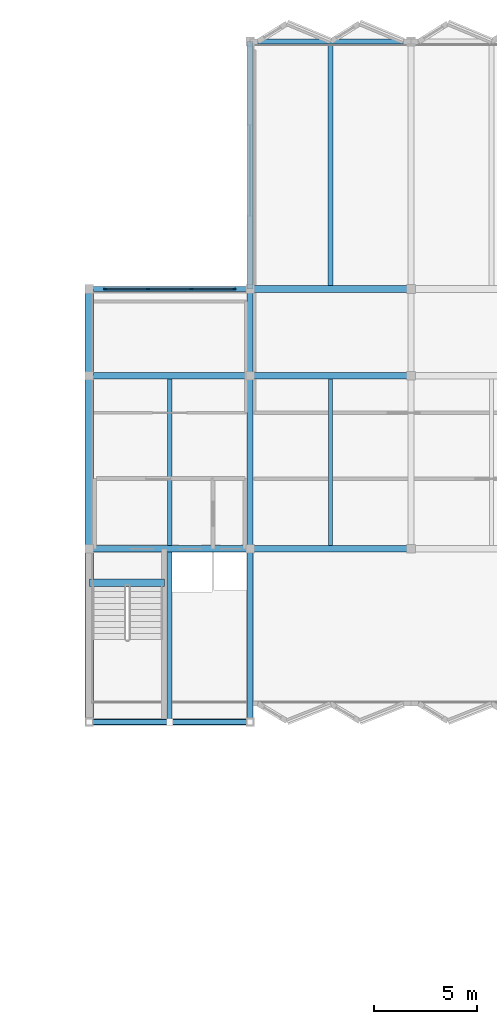
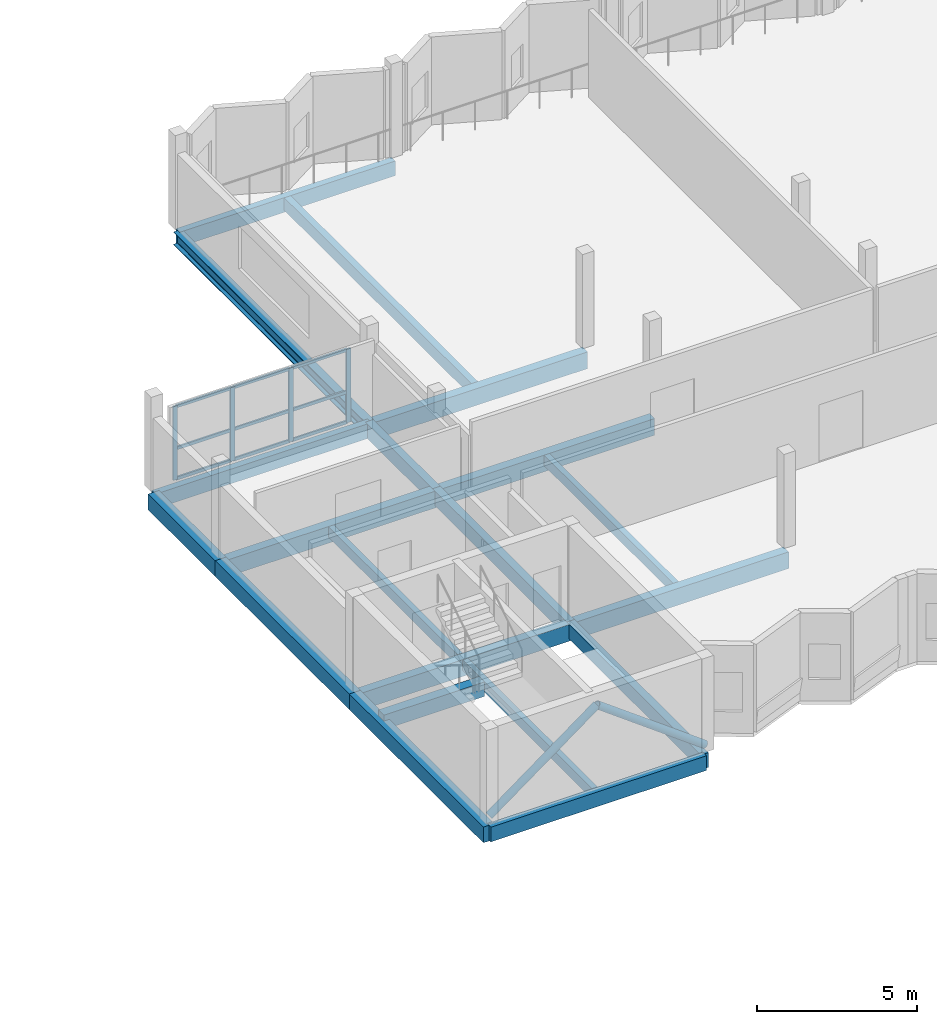
# One storey, part 8 of 22: 20 beams, 15 members, 1 element without a shape of its own.
"""IFC4 building model written with IfcOpenShell, lengths in metres."""

from ifc_helpers import new_model, si_unit, direction, frame, origin, origin_2d, place, context, subcontext, project, spatial, rectangle, hollow_circle, i_section, extrude, material, material_profile, profile_set, type_object, element, aggregate, save


model = new_model("IFC4")

# Units and contexts
model_context = context("Model", 3, precision=1e-05, world=origin(), true_north=direction((0.0, 1.0)))
body_context = subcontext(model_context, "Body", "Model", "MODEL_VIEW")
ifc_project = project(units=[si_unit("LENGTHUNIT", "METRE"), si_unit("AREAUNIT", "SQUARE_METRE"), si_unit("VOLUMEUNIT", "CUBIC_METRE"), si_unit("PLANEANGLEUNIT", "RADIAN"), si_unit("MASSUNIT", "GRAM", prefix="KILO")], contexts=[model_context])

# Site, building, storey
site_placement = place(None, origin())
site = spatial("IfcSite", under=ifc_project, at=site_placement, CompositionType="ELEMENT")
building_placement = place(site_placement, origin())
building = spatial("IfcBuilding", under=site, at=building_placement, Name="Vharandega Faculty of Natural Sciences", CompositionType="ELEMENT")
storey_placement = place(building_placement, frame((0.0, 0.0, 28.800048828125)))
storey = spatial("IfcBuildingStorey", under=building, at=storey_placement, Name="L07", CompositionType="ELEMENT", Elevation=28.800048828125)

# Curtain wall, members
ifc_material_1 = material(Name="Aluminium and solar-control glass curtain wall", Category="aluminium")
curtain_wall_type = type_object("IfcCurtainWallType", Name="Unitised Curtain Wall System CW-01", PredefinedType="NOTDEFINED", material=ifc_material_1)
curtain_wall_placement = place(storey_placement, origin())
curtain_wall = element("IfcCurtainWall", 1, at=curtain_wall_placement, inside=storey, type_object=curtain_wall_type, Name="Curtain Wall CW-L07-028", PredefinedType="NOTDEFINED")
ifc_material_2 = material(Name="Thermally broken aluminium 6063-T6", Category="aluminium")
ifc_material_profile_1 = material_profile(ifc_material_2, rectangle(XDim=0.06005859375, YDim=0.159912109375, at=origin_2d()), Name="ALU 60x160")
ifc_profile_set_1 = profile_set([ifc_material_profile_1], Name="Thermally broken aluminium 6063-T6")
member_type_1 = type_object("IfcMemberType", Name="CW Mullion 60x160", PredefinedType="MULLION", material=ifc_profile_set_1)
member_1_placement = place(storey_placement, frame((115.570068359375, 85.0, 0.0), z_axis=(0.0, 0.0, 1.0), x_axis=(0.0, 1.0, 0.0)))
member_1 = element("IfcMember", 2, at=member_1_placement, type_object=member_type_1, Name="CW-01 mullion 1", PredefinedType="MULLION", context=body_context, shape_type="SweptSolid", body=[
    extrude(rectangle(XDim=0.06005859375, YDim=0.159912109375, at=origin_2d()), origin(), (0.0, 0.0, 1.0), 2.820068359375),
])
member_2_placement = place(storey_placement, frame((117.646728515625, 85.0, 0.0), z_axis=(0.0, 0.0, 1.0), x_axis=(0.0, 1.0, 0.0)))
member_2 = element("IfcMember", 3, at=member_2_placement, type_object=member_type_1, Name="CW-01 mullion 2", PredefinedType="MULLION", context=body_context, shape_type="SweptSolid", body=[
    extrude(rectangle(XDim=0.06005859375, YDim=0.159912109375, at=origin_2d()), origin(), (0.0, 0.0, 1.0), 2.820068359375),
])
member_3_placement = place(storey_placement, frame((119.75341796875, 85.0, 0.0), z_axis=(0.0, 0.0, 1.0), x_axis=(0.0, 1.0, 0.0)))
member_3 = element("IfcMember", 4, at=member_3_placement, type_object=member_type_1, Name="CW-01 mullion 3", PredefinedType="MULLION", context=body_context, shape_type="SweptSolid", body=[
    extrude(rectangle(XDim=0.06005859375, YDim=0.159912109375, at=origin_2d()), origin(), (0.0, 0.0, 1.0), 2.820068359375),
])
member_4_placement = place(storey_placement, frame((121.830078125, 85.0, 0.0), z_axis=(0.0, 0.0, 1.0), x_axis=(0.0, 1.0, 0.0)))
member_4 = element("IfcMember", 5, at=member_4_placement, type_object=member_type_1, Name="CW-01 mullion 4", PredefinedType="MULLION", context=body_context, shape_type="SweptSolid", body=[
    extrude(rectangle(XDim=0.06005859375, YDim=0.159912109375, at=origin_2d()), origin(), (0.0, 0.0, 1.0), 2.820068359375),
])
ifc_material_3 = material(Name="Thermally broken aluminium 6063-T6", Category="aluminium")
ifc_material_profile_2 = material_profile(ifc_material_3, rectangle(XDim=0.06005859375, YDim=0.1201171875, at=origin_2d()), Name="ALU 60x120")
ifc_profile_set_2 = profile_set([ifc_material_profile_2], Name="Thermally broken aluminium 6063-T6")
member_type_2 = type_object("IfcMemberType", Name="CW Transom 60x120", PredefinedType="USERDEFINED", material=ifc_profile_set_2)
member_5_placement = place(storey_placement, frame((115.60009765625, 85.0, 0.030029296875), z_axis=(1.0, 0.0, 0.0), x_axis=(0.0, 1.0, 0.0)))
member_5 = element("IfcMember", 6, at=member_5_placement, type_object=member_type_2, Name="CW-01 transom 1.1", ObjectType="TRANSOM", PredefinedType="USERDEFINED", context=body_context, shape_type="SweptSolid", body=[
    extrude(rectangle(XDim=0.06005859375, YDim=0.1201171875, at=origin_2d()), origin(), (0.0, 0.0, 1.0), 2.0166015625),
])
member_6_placement = place(storey_placement, frame((115.60009765625, 85.0, 1.184326171875), z_axis=(1.0, 0.0, 0.0), x_axis=(0.0, 1.0, 0.0)))
member_6 = element("IfcMember", 7, at=member_6_placement, type_object=member_type_2, Name="CW-01 transom 1.2", ObjectType="TRANSOM", PredefinedType="USERDEFINED", context=body_context, shape_type="SweptSolid", body=[
    extrude(rectangle(XDim=0.06005859375, YDim=0.1201171875, at=origin_2d()), origin(), (0.0, 0.0, 1.0), 2.0166015625),
])
member_7_placement = place(storey_placement, frame((115.60009765625, 85.0, 2.7900390625), z_axis=(1.0, 0.0, 0.0), x_axis=(0.0, 1.0, 0.0)))
member_7 = element("IfcMember", 8, at=member_7_placement, type_object=member_type_2, Name="CW-01 transom 1.3", ObjectType="TRANSOM", PredefinedType="USERDEFINED", context=body_context, shape_type="SweptSolid", body=[
    extrude(rectangle(XDim=0.06005859375, YDim=0.1201171875, at=origin_2d()), origin(), (0.0, 0.0, 1.0), 2.0166015625),
])
member_8_placement = place(storey_placement, frame((117.6767578125, 85.0, 0.030029296875), z_axis=(1.0, 0.0, 0.0), x_axis=(0.0, 1.0, 0.0)))
member_8 = element("IfcMember", 9, at=member_8_placement, type_object=member_type_2, Name="CW-01 transom 2.1", ObjectType="TRANSOM", PredefinedType="USERDEFINED", context=body_context, shape_type="SweptSolid", body=[
    extrude(rectangle(XDim=0.06005859375, YDim=0.1201171875, at=origin_2d()), origin(), (0.0, 0.0, 1.0), 2.046630859375),
])
member_9_placement = place(storey_placement, frame((117.6767578125, 85.0, 1.184326171875), z_axis=(1.0, 0.0, 0.0), x_axis=(0.0, 1.0, 0.0)))
member_9 = element("IfcMember", 10, at=member_9_placement, type_object=member_type_2, Name="CW-01 transom 2.2", ObjectType="TRANSOM", PredefinedType="USERDEFINED", context=body_context, shape_type="SweptSolid", body=[
    extrude(rectangle(XDim=0.06005859375, YDim=0.1201171875, at=origin_2d()), origin(), (0.0, 0.0, 1.0), 2.046630859375),
])
member_10_placement = place(storey_placement, frame((117.6767578125, 85.0, 2.7900390625), z_axis=(1.0, 0.0, 0.0), x_axis=(0.0, 1.0, 0.0)))
member_10 = element("IfcMember", 11, at=member_10_placement, type_object=member_type_2, Name="CW-01 transom 2.3", ObjectType="TRANSOM", PredefinedType="USERDEFINED", context=body_context, shape_type="SweptSolid", body=[
    extrude(rectangle(XDim=0.06005859375, YDim=0.1201171875, at=origin_2d()), origin(), (0.0, 0.0, 1.0), 2.046630859375),
])
member_11_placement = place(storey_placement, frame((119.783447265625, 85.0, 0.030029296875), z_axis=(1.0, 0.0, 0.0), x_axis=(0.0, 1.0, 0.0)))
member_11 = element("IfcMember", 12, at=member_11_placement, type_object=member_type_2, Name="CW-01 transom 3.1", ObjectType="TRANSOM", PredefinedType="USERDEFINED", context=body_context, shape_type="SweptSolid", body=[
    extrude(rectangle(XDim=0.06005859375, YDim=0.1201171875, at=origin_2d()), origin(), (0.0, 0.0, 1.0), 2.0166015625),
])
member_12_placement = place(storey_placement, frame((119.783447265625, 85.0, 1.184326171875), z_axis=(1.0, 0.0, 0.0), x_axis=(0.0, 1.0, 0.0)))
member_12 = element("IfcMember", 13, at=member_12_placement, type_object=member_type_2, Name="CW-01 transom 3.2", ObjectType="TRANSOM", PredefinedType="USERDEFINED", context=body_context, shape_type="SweptSolid", body=[
    extrude(rectangle(XDim=0.06005859375, YDim=0.1201171875, at=origin_2d()), origin(), (0.0, 0.0, 1.0), 2.0166015625),
])
member_13_placement = place(storey_placement, frame((119.783447265625, 85.0, 2.7900390625), z_axis=(1.0, 0.0, 0.0), x_axis=(0.0, 1.0, 0.0)))
member_13 = element("IfcMember", 14, at=member_13_placement, type_object=member_type_2, Name="CW-01 transom 3.3", ObjectType="TRANSOM", PredefinedType="USERDEFINED", context=body_context, shape_type="SweptSolid", body=[
    extrude(rectangle(XDim=0.06005859375, YDim=0.1201171875, at=origin_2d()), origin(), (0.0, 0.0, 1.0), 2.0166015625),
])
aggregate(curtain_wall, [member_1, member_2, member_3, member_4, member_5, member_6, member_7, member_8, member_9, member_10, member_11, member_12, member_13])

# Beams
ifc_material_4 = material(Name="Glulam GL28h", Category="wood")
ifc_material_profile_3 = material_profile(ifc_material_4, rectangle(XDim=0.280029296875, YDim=0.56005859375, at=origin_2d()), Name="GL28h 280x560")
ifc_profile_set_3 = profile_set([ifc_material_profile_3], Name="Glulam GL28h")
beam_type_1 = type_object("IfcBeamType", Name="Glulam Floor Beam 280x560", PredefinedType="BEAM", material=ifc_profile_set_3)
beam_1_placement = place(storey_placement, frame((122.60009765625, 64.0, -0.5), z_axis=(0.0, 1.0, 0.0), x_axis=(-1.0, 0.0, 0.0)))
element("IfcBeam", 15, at=beam_1_placement, inside=storey, type_object=beam_type_1, Name="Beam L07 16/J-K", PredefinedType="BEAM", context=body_context, shape_type="SweptSolid", body=[
    extrude(rectangle(XDim=0.280029296875, YDim=0.56005859375, at=origin_2d()), origin(), (0.0, 0.0, 1.0), 8.39990234375),
])
beam_2_placement = place(storey_placement, frame((122.60009765625, 72.39990234375, -0.5), z_axis=(0.0, 1.0, 0.0), x_axis=(-1.0, 0.0, 0.0)))
element("IfcBeam", 16, at=beam_2_placement, inside=storey, type_object=beam_type_1, Name="Beam L07 16/K-L", PredefinedType="BEAM", context=body_context, shape_type="SweptSolid", body=[
    extrude(rectangle(XDim=0.280029296875, YDim=0.56005859375, at=origin_2d()), origin(), (0.0, 0.0, 1.0), 8.400146484375),
])
beam_3_placement = place(storey_placement, frame((122.60009765625, 80.800048828125, -0.5), z_axis=(0.0, 1.0, 0.0), x_axis=(-1.0, 0.0, 0.0)))
element("IfcBeam", 17, at=beam_3_placement, inside=storey, type_object=beam_type_1, Name="Beam L07 16/L-M", PredefinedType="BEAM", context=body_context, shape_type="SweptSolid", body=[
    extrude(rectangle(XDim=0.280029296875, YDim=0.56005859375, at=origin_2d()), origin(), (0.0, 0.0, 1.0), 4.199951171875),
])
ifc_material_5 = material(Name="Glulam GL28h", Category="wood")
ifc_material_profile_4 = material_profile(ifc_material_5, rectangle(XDim=0.320068359375, YDim=0.639892578125, at=origin_2d()), Name="GL28h 320x640")
ifc_profile_set_4 = profile_set([ifc_material_profile_4], Name="Glulam GL28h")
beam_type_2 = type_object("IfcBeamType", Name="Glulam Floor Beam 320x640", PredefinedType="BEAM", material=ifc_profile_set_4)
beam_4_placement = place(storey_placement, frame((114.800048828125, 72.39990234375, -0.5400390625), z_axis=(1.0, 0.0, 0.0), x_axis=(0.0, 1.0, 0.0)))
element("IfcBeam", 18, at=beam_4_placement, inside=storey, type_object=beam_type_2, Name="Beam L07 K/15-16", PredefinedType="BEAM", context=body_context, shape_type="SweptSolid", body=[
    extrude(rectangle(XDim=0.320068359375, YDim=0.639892578125, at=origin_2d()), origin(), (0.0, 0.0, 1.0), 7.800048828125),
])
beam_5_placement = place(storey_placement, frame((122.60009765625, 72.39990234375, -0.5400390625), z_axis=(1.0, 0.0, 0.0), x_axis=(0.0, 1.0, 0.0)))
element("IfcBeam", 19, at=beam_5_placement, inside=storey, type_object=beam_type_2, Name="Beam L07 K/16-17", PredefinedType="BEAM", context=body_context, shape_type="SweptSolid", body=[
    extrude(rectangle(XDim=0.320068359375, YDim=0.639892578125, at=origin_2d()), origin(), (0.0, 0.0, 1.0), 7.7998046875),
])
beam_6_placement = place(storey_placement, frame((114.800048828125, 80.800048828125, -0.5400390625), z_axis=(1.0, 0.0, 0.0), x_axis=(0.0, 1.0, 0.0)))
element("IfcBeam", 20, at=beam_6_placement, inside=storey, type_object=beam_type_2, Name="Beam L07 L/15-16", PredefinedType="BEAM", context=body_context, shape_type="SweptSolid", body=[
    extrude(rectangle(XDim=0.320068359375, YDim=0.639892578125, at=origin_2d()), origin(), (0.0, 0.0, 1.0), 7.800048828125),
])
for number, where, z_axis, x_axis, name in (
    (21, (122.60009765625, 80.800048828125, -0.5400390625), (1.0, 0.0, 0.0), (0.0, 1.0, 0.0), "Beam L07 L/16-17"),
    (22, (122.60009765625, 85.0, -0.5400390625), (1.0, 0.0, 0.0), (0.0, 1.0, 0.0), "Beam L07 M/16-17"),
):
    element("IfcBeam", number, at=place(storey_placement, frame(where, z_axis=z_axis, x_axis=x_axis)), inside=storey, type_object=beam_type_2, Name=name, PredefinedType="BEAM", context=body_context, shape_type="SweptSolid", body=[
        extrude(rectangle(XDim=0.320068359375, YDim=0.639892578125, at=origin_2d()), origin(), (0.0, 0.0, 1.0), 7.7998046875),
    ])
ifc_material_6 = material(Name="Glulam GL28h", Category="wood")
ifc_material_profile_5 = material_profile(ifc_material_6, rectangle(XDim=0.199951171875, YDim=0.39990234375, at=origin_2d()), Name="GL28h 200x400")
ifc_profile_set_5 = profile_set([ifc_material_profile_5], Name="Glulam GL28h")
beam_type_3 = type_object("IfcBeamType", Name="Glulam Secondary Joist 200x400", PredefinedType="JOIST", material=ifc_profile_set_5)
beam_7_placement = place(storey_placement, frame((118.699951171875, 64.1201171875, -0.420166015625), z_axis=(0.0, 1.0, 0.0), x_axis=(-1.0, 0.0, 0.0)))
element("IfcBeam", 23, at=beam_7_placement, inside=storey, type_object=beam_type_3, Name="Secondary Joist L07 15-16/J-K", PredefinedType="JOIST", context=body_context, shape_type="SweptSolid", body=[
    extrude(rectangle(XDim=0.199951171875, YDim=0.39990234375, at=origin_2d()), origin(), (0.0, 0.0, 1.0), 8.119873046875),
])
for number, where, z_axis, x_axis, name in (
    (24, (118.699951171875, 72.56005859375, -0.420166015625), (0.0, 1.0, 0.0), (-1.0, 0.0, 0.0), "Secondary Joist L07 15-16/K-L"),
    (25, (126.5, 72.56005859375, -0.420166015625), (0.0, 1.0, 0.0), (-1.0, 0.0, 0.0), "Secondary Joist L07 16-17/K-L"),
):
    element("IfcBeam", number, at=place(storey_placement, frame(where, z_axis=z_axis, x_axis=x_axis)), inside=storey, type_object=beam_type_3, Name=name, PredefinedType="JOIST", context=body_context, shape_type="SweptSolid", body=[
        extrude(rectangle(XDim=0.199951171875, YDim=0.39990234375, at=origin_2d()), origin(), (0.0, 0.0, 1.0), 8.079833984375),
    ])
ifc_material_7 = material(Name="Glulam GL28h", Category="wood")
ifc_material_profile_6 = material_profile(ifc_material_7, rectangle(XDim=0.239990234375, YDim=0.47998046875, at=origin_2d()), Name="GL28h 240x480")
ifc_profile_set_6 = profile_set([ifc_material_profile_6], Name="Glulam GL28h")
beam_type_4 = type_object("IfcBeamType", Name="Glulam Secondary Joist 240x480", PredefinedType="JOIST", material=ifc_profile_set_6)
beam_8_placement = place(storey_placement, frame((126.5, 85.159912109375, -0.4599609375), z_axis=(0.0, 1.0, 0.0), x_axis=(-1.0, 0.0, 0.0)))
element("IfcBeam", 26, at=beam_8_placement, inside=storey, type_object=beam_type_4, Name="Secondary Joist L07 16-17/M-N", PredefinedType="JOIST", context=body_context, shape_type="SweptSolid", body=[
    extrude(rectangle(XDim=0.239990234375, YDim=0.47998046875, at=origin_2d()), origin(), (0.0, 0.0, 1.0), 11.719970703125),
])
ifc_material_8 = material(Name="Glulam GL28h", Category="wood")
ifc_material_profile_7 = material_profile(ifc_material_8, rectangle(XDim=0.239990234375, YDim=0.56005859375, at=origin_2d()), Name="GL28h 240x560")
ifc_profile_set_7 = profile_set([ifc_material_profile_7], Name="Glulam GL28h")
beam_type_5 = type_object("IfcBeamType", Name="Glulam Spandrel Edge Beam 240x560", PredefinedType="SPANDREL", material=ifc_profile_set_7)
for number, where, z_axis, x_axis, name in (
    (27, (114.800048828125, 64.0, -0.5), (1.0, 0.0, 0.0), (0.0, 1.0, 0.0), "Beam L07 J/15-16"),
    (28, (114.800048828125, 85.0, -0.5), (1.0, 0.0, 0.0), (0.0, 1.0, 0.0), "Beam L07 M/15-16"),
):
    element("IfcBeam", number, at=place(storey_placement, frame(where, z_axis=z_axis, x_axis=x_axis)), inside=storey, type_object=beam_type_5, Name=name, PredefinedType="SPANDREL", context=body_context, shape_type="SweptSolid", body=[
        extrude(rectangle(XDim=0.239990234375, YDim=0.56005859375, at=origin_2d()), origin(), (0.0, 0.0, 1.0), 7.800048828125),
    ])
beam_9_placement = place(storey_placement, frame((122.60009765625, 97.0, -0.5), z_axis=(1.0, 0.0, 0.0), x_axis=(0.0, 1.0, 0.0)))
element("IfcBeam", 29, at=beam_9_placement, inside=storey, type_object=beam_type_5, Name="Beam L07 N/16-17", PredefinedType="SPANDREL", context=body_context, shape_type="SweptSolid", body=[
    extrude(rectangle(XDim=0.239990234375, YDim=0.56005859375, at=origin_2d()), origin(), (0.0, 0.0, 1.0), 7.7998046875),
])
ifc_material_9 = material(Name="Glulam GL32h", Category="wood")
ifc_material_profile_8 = material_profile(ifc_material_9, rectangle(XDim=0.39990234375, YDim=0.60009765625, at=origin_2d()), Name="GL32h 400x600")
ifc_profile_set_8 = profile_set([ifc_material_profile_8], Name="Glulam GL32h")
beam_type_6 = type_object("IfcBeamType", Name="Glulam Spine Girder 400x600", PredefinedType="BEAM", material=ifc_profile_set_8)
beam_10_placement = place(storey_placement, frame((114.800048828125, 64.0, -0.52001953125), z_axis=(0.0, 1.0, 0.0), x_axis=(-1.0, 0.0, 0.0)))
element("IfcBeam", 30, at=beam_10_placement, inside=storey, type_object=beam_type_6, Name="Beam L07 15/J-K", PredefinedType="BEAM", context=body_context, shape_type="SweptSolid", body=[
    extrude(rectangle(XDim=0.39990234375, YDim=0.60009765625, at=origin_2d()), origin(), (0.0, 0.0, 1.0), 8.39990234375),
])
beam_11_placement = place(storey_placement, frame((114.800048828125, 72.39990234375, -0.52001953125), z_axis=(0.0, 1.0, 0.0), x_axis=(-1.0, 0.0, 0.0)))
element("IfcBeam", 31, at=beam_11_placement, inside=storey, type_object=beam_type_6, Name="Beam L07 15/K-L", PredefinedType="BEAM", context=body_context, shape_type="SweptSolid", body=[
    extrude(rectangle(XDim=0.39990234375, YDim=0.60009765625, at=origin_2d()), origin(), (0.0, 0.0, 1.0), 8.400146484375),
])
beam_12_placement = place(storey_placement, frame((114.800048828125, 80.800048828125, -0.52001953125), z_axis=(0.0, 1.0, 0.0), x_axis=(-1.0, 0.0, 0.0)))
element("IfcBeam", 32, at=beam_12_placement, inside=storey, type_object=beam_type_6, Name="Beam L07 15/L-M", PredefinedType="BEAM", context=body_context, shape_type="SweptSolid", body=[
    extrude(rectangle(XDim=0.39990234375, YDim=0.60009765625, at=origin_2d()), origin(), (0.0, 0.0, 1.0), 4.199951171875),
])

# Members
ifc_material_10 = material(Name="Steel S355", Category="steel")
ifc_material_profile_9 = material_profile(ifc_material_10, hollow_circle(Radius=0.136474609375, WallThickness=0.01611328125, at=origin_2d()), Name="CHS 273x16")
ifc_profile_set_9 = profile_set([ifc_material_profile_9], Name="Steel S355")
member_type_3 = type_object("IfcMemberType", Name="Perimeter Chevron Brace CHS 273", PredefinedType="BRACE", material=ifc_profile_set_9)
member_14_placement = place(storey_placement, frame((114.800048828125, 64.0, 0.14990234375), z_axis=(0.804413644842, 0.0, 0.59406959861), x_axis=(0.0, 1.0, 0.0)))
element("IfcMember", 33, at=member_14_placement, inside=storey, type_object=member_type_3, Name="Chevron Brace J L07-1", PredefinedType="BRACE", context=body_context, shape_type="SweptSolid", body=[
    extrude(hollow_circle(Radius=0.136474609375, WallThickness=0.01611328125, at=origin_2d()), origin(), (0.0, 0.0, 1.0), 4.84814453125),
])
member_15_placement = place(storey_placement, frame((122.60009765625, 64.0, 0.14990234375), z_axis=(-0.80443141593, 0.0, 0.594045534505), x_axis=(0.0, -1.0, 0.0)))
element("IfcMember", 34, at=member_15_placement, inside=storey, type_object=member_type_3, Name="Chevron Brace J L07-2", PredefinedType="BRACE", context=body_context, shape_type="SweptSolid", body=[
    extrude(hollow_circle(Radius=0.136474609375, WallThickness=0.01611328125, at=origin_2d()), origin(), (0.0, 0.0, 1.0), 4.848388671875),
])

# Beams
ifc_material_11 = material(Name="Concrete C40/50", Category="concrete")
ifc_material_profile_10 = material_profile(ifc_material_11, rectangle(XDim=0.35009765625, YDim=0.550048828125, at=origin_2d()), Name="RC 350x550")
ifc_profile_set_10 = profile_set([ifc_material_profile_10], Name="Concrete C40/50")
beam_type_7 = type_object("IfcBeamType", Name="Stair Header Trimmer Beam 350x550", PredefinedType="BEAM", material=ifc_profile_set_10)
beam_13_placement = place(storey_placement, frame((114.800048828125, 70.75, -0.275146484375), z_axis=(1.0, 0.0, 0.0), x_axis=(0.0, 1.0, 0.0)))
element("IfcBeam", 35, at=beam_13_placement, inside=storey, type_object=beam_type_7, Name="Stair Landing Trimmer Beam C1 L07", PredefinedType="BEAM", context=body_context, shape_type="SweptSolid", body=[
    extrude(rectangle(XDim=0.35009765625, YDim=0.550048828125, at=origin_2d()), origin(), (0.0, 0.0, 1.0), 3.639892578125),
])
ifc_material_12 = material(Name="Steel S355", Category="steel")
ifc_material_profile_11 = material_profile(ifc_material_12, i_section(OverallWidth=0.300048828125, OverallDepth=0.5, WebThickness=0.014404296875, FlangeThickness=0.028076171875, FilletRadius=0.027099609375, at=origin_2d()), Name="HEB 500")
ifc_profile_set_11 = profile_set([ifc_material_profile_11], Name="Steel S355")
beam_type_8 = type_object("IfcBeamType", Name="Steel Collector Beam HEB 500", PredefinedType="BEAM", material=ifc_profile_set_11)
beam_14_placement = place(storey_placement, frame((122.60009765625, 85.0, -0.469970703125), z_axis=(0.0, 1.0, 0.0), x_axis=(-1.0, 0.0, 0.0)))
element("IfcBeam", 36, at=beam_14_placement, inside=storey, type_object=beam_type_8, Name="Beam L07 16/M-N", PredefinedType="BEAM", context=body_context, shape_type="SweptSolid", body=[
    extrude(i_section(OverallWidth=0.300048828125, OverallDepth=0.5, WebThickness=0.014404296875, FlangeThickness=0.028076171875, FilletRadius=0.027099609375, at=origin_2d()), origin(), (0.0, 0.0, 1.0), 12.0),
])

save(model, "model.ifc")
